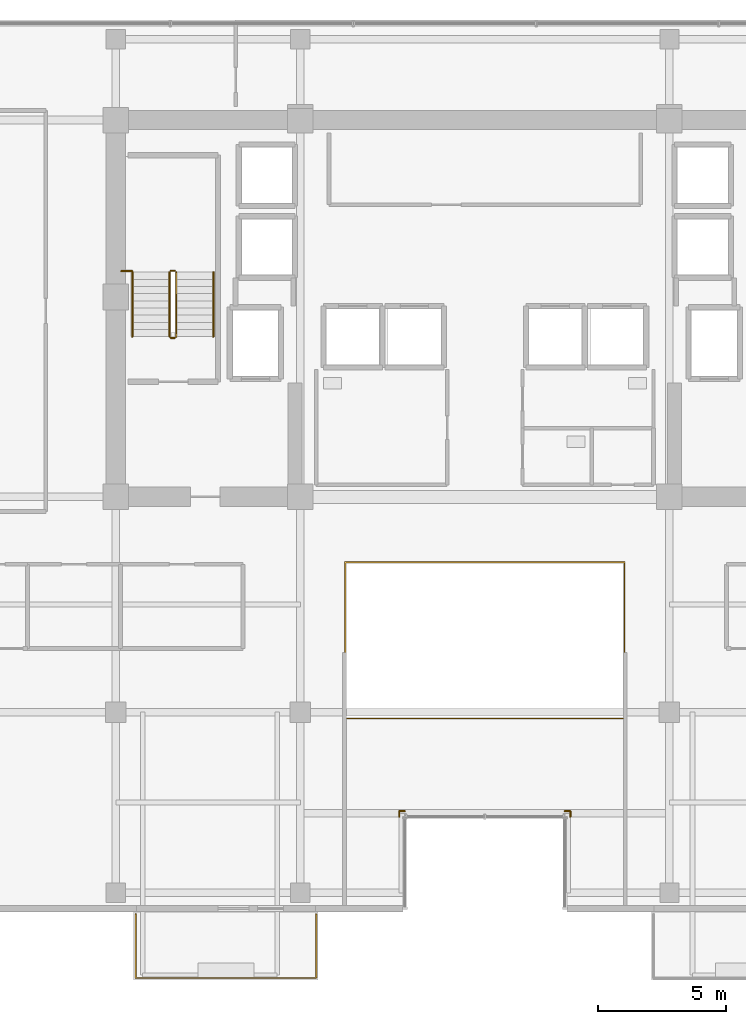
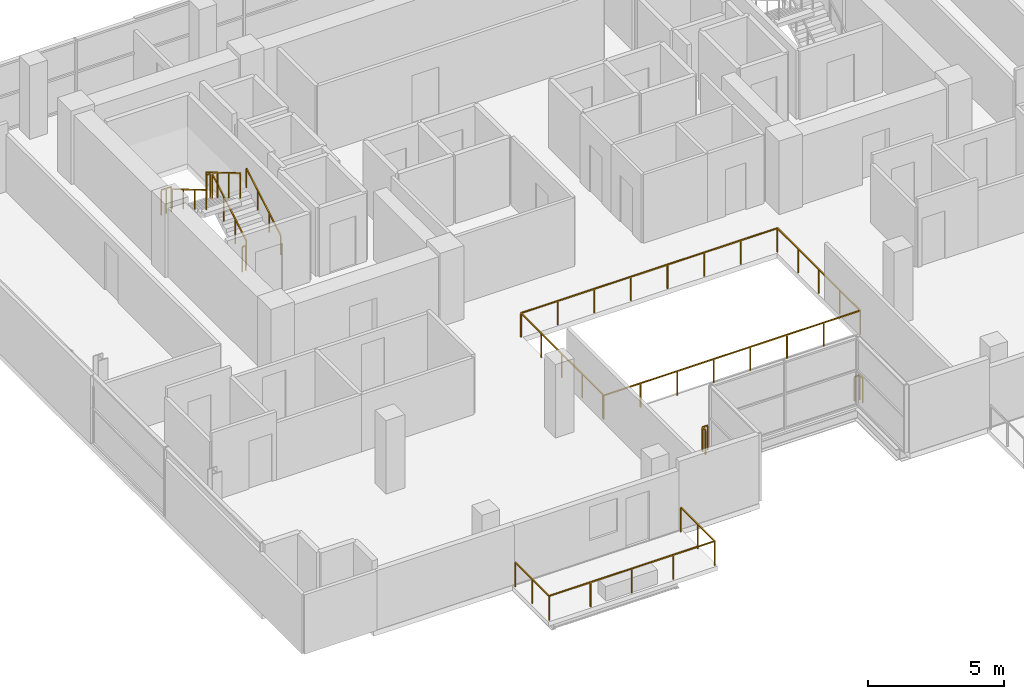
# One storey, part 19 of 21: 13 railings.
"""IFC4 building model written with IfcOpenShell, lengths in metres."""

import ifcopenshell
import ifcopenshell.guid

model = None  # the IFC model being written
_history = None  # IfcOwnerHistory: only IFC2X3 demands one
_inside = {}  # id of a spatial element -> (the spatial element, [elements in it])
_under = {}  # id of a project, library or spatial element -> (it, [spatial elements below it])
_declared = {}  # id of a project -> (the project, [libraries it declares])
_typed = {}  # id of a type object -> (the type object, [elements of that type])
_made_of = {}  # id of a material, layer set ... -> (it, [elements and type objects made of it])


def new_model(schema):
    """Start an empty IFC model of exactly this schema.

    Asked for "IFC4X3", IfcOpenShell would pick the latest addendum, in which some entities
    have other attributes; the version numbers below select the first issue.
    IFC2X3 requires an IfcOwnerHistory on every rooted entity: one is made here for all.
    """
    global model, _history
    if schema == "IFC4X3":
        model = ifcopenshell.file(schema_version=(4, 3, 0, 0))
    else:
        model = ifcopenshell.file(schema=schema)
    _inside.clear()
    _under.clear()
    _declared.clear()
    _typed.clear()
    _made_of.clear()
    _history = None
    if model.schema == "IFC2X3":
        org = make("IfcOrganization", Name="unknown")
        user = make(
            "IfcPersonAndOrganization",
            ThePerson=make("IfcPerson", FamilyName="unknown"),
            TheOrganization=org,
        )
        app = make(
            "IfcApplication",
            ApplicationDeveloper=org,
            Version="unknown",
            ApplicationFullName="unknown",
            ApplicationIdentifier="unknown",
        )
        _history = make(
            "IfcOwnerHistory",
            OwningUser=user,
            OwningApplication=app,
            ChangeAction="ADDED",
            CreationDate=0,
        )
    return model


def make(cls, **values):
    """One entity of the class cls with the attributes given. An attribute that is None is left unset."""
    return model.create_entity(
        cls, **{name: value for name, value in values.items() if value is not None}
    )


def rooted(cls, **values):
    """An entity with a GlobalId (a new one), such as an element, a storey or a relation."""
    return make(cls, GlobalId=ifcopenshell.guid.new(), OwnerHistory=_history, **values)


def si_unit(unit_type, name, prefix=None):
    """IfcSIUnit, for example si_unit("LENGTHUNIT", "METRE", prefix="MILLI")."""
    return make("IfcSIUnit", UnitType=unit_type, Prefix=prefix, Name=name)


def assignment(units):
    """IfcUnitAssignment: the units of a project."""
    return None if units is None else make("IfcUnitAssignment", Units=units)


def point(xyz):
    """IfcCartesianPoint."""
    return None if xyz is None else make("IfcCartesianPoint", Coordinates=xyz)


def direction(xyz):
    """IfcDirection."""
    return None if xyz is None else make("IfcDirection", DirectionRatios=xyz)


def frame(location, z_axis=None, x_axis=None):
    """IfcAxis2Placement3D, a coordinate frame: its origin and axes. An axis left out is left unset."""
    return make(
        "IfcAxis2Placement3D",
        Location=point(location),
        Axis=direction(z_axis),
        RefDirection=direction(x_axis),
    )


def frame_2d(location, x_axis=None):
    """IfcAxis2Placement2D, a coordinate frame in the plane: its origin and x axis."""
    return make(
        "IfcAxis2Placement2D", Location=point(location), RefDirection=direction(x_axis)
    )


def origin():
    """The frame at (0, 0, 0) with its axes left unset."""
    return frame((0.0, 0.0, 0.0))


def origin_2d():
    """The frame at (0, 0) in the plane with its x axis left unset."""
    return frame_2d((0.0, 0.0))


def place(relative_to, where):
    """IfcLocalPlacement: puts the frame where relative to a parent placement (None: the world)."""
    return make(
        "IfcLocalPlacement", PlacementRelTo=relative_to, RelativePlacement=where
    )


def context(
    kind, dimensions, precision=None, world=None, true_north=None, identifier=None
):
    """IfcGeometricRepresentationContext, for example the 3D "Model" context."""
    return make(
        "IfcGeometricRepresentationContext",
        ContextIdentifier=identifier,
        ContextType=kind,
        CoordinateSpaceDimension=dimensions,
        Precision=precision,
        WorldCoordinateSystem=world,
        TrueNorth=true_north,
    )


def subcontext(parent, identifier, kind, view, scale=None):
    """IfcGeometricRepresentationSubContext, for example "Body" below "Model"."""
    return make(
        "IfcGeometricRepresentationSubContext",
        ContextIdentifier=identifier,
        ContextType=kind,
        ParentContext=parent,
        TargetScale=scale,
        TargetView=view,
    )


def project(units=None, contexts=None):
    """IfcProject with its units and contexts."""
    return rooted(
        "IfcProject",
        Name="project",
        RepresentationContexts=contexts,
        UnitsInContext=assignment(units),
    )


def spatial(cls, under=None, at=None, **own):
    """A site, building, storey or space (cls), placed at a placement, below another one or the project."""
    s = rooted(cls, ObjectPlacement=at, **own)
    if under is not None:
        _under.setdefault(under.id(), (under, []))[1].append(s)
    return s


def profile(cls, at=None, kind="AREA", **sizes):
    """A parametric profile (cls). Its sizes go by their IFC names, for example OverallWidth=200.0."""
    return make(cls, ProfileType=kind, Position=at, **sizes)


def rectangle(**sizes):
    """IfcRectangleProfileDef."""
    return profile("IfcRectangleProfileDef", **sizes)


def extrude(swept, where, along, depth):
    """IfcExtrudedAreaSolid: the profile swept, set in the frame where, extruded along a direction by depth."""
    return make(
        "IfcExtrudedAreaSolid",
        SweptArea=swept,
        Position=where,
        ExtrudedDirection=direction(along),
        Depth=depth,
    )


def shape(context_of_items, identifier, shape_type, items):
    """IfcShapeRepresentation: the items that make up one representation, for example the "Body"."""
    return make(
        "IfcShapeRepresentation",
        ContextOfItems=context_of_items,
        RepresentationIdentifier=identifier,
        RepresentationType=shape_type,
        Items=items,
    )


def material(Name=None, Category=None):
    """IfcMaterial."""
    return make("IfcMaterial", Name=Name, Category=Category)


def made_of(thing, what):
    """Note that an element or type object is made of a material, layer set ...; save() writes the relation."""
    if what is not None:
        _made_of.setdefault(what.id(), (what, []))[1].append(thing)
    return thing


def type_object(cls, material=None, **own):
    """A type object (cls), such as IfcWallType, which elements share."""
    return made_of(rooted(cls, **own), material)


def element(
    cls,
    number,
    at=None,
    inside=None,
    cuts=None,
    type_object=None,
    material=None,
    context=None,
    identifier="Body",
    shape_type=None,
    held_by="IfcProductDefinitionShape",
    body=None,
    shapes=None,
    **own,
):
    """One element of the class cls, such as IfcWall. Its Tag is "e" and its number.

    at: its placement. inside: the storey or other place that contains it. cuts: it is an
    opening in that element (IfcRelVoidsElement). A single representation is given by context,
    identifier, shape_type and body (its items); several are given by shapes. held_by: the class
    of the entity that holds the representations. save() writes the other relations.
    """
    e = rooted(cls, Tag="e%d" % number, ObjectPlacement=at, **own)
    if body is not None:
        shapes = [shape(context, identifier, shape_type, body)]
    if shapes is not None:
        e.Representation = make(held_by, Representations=shapes)
    if inside is not None:
        _inside.setdefault(inside.id(), (inside, []))[1].append(e)
    if cuts is not None:
        rooted(
            "IfcRelVoidsElement", RelatingBuildingElement=cuts, RelatedOpeningElement=e
        )
    if type_object is not None:
        _typed.setdefault(type_object.id(), (type_object, []))[1].append(e)
    return made_of(e, material)


def aggregate(whole, parts):
    """IfcRelAggregates: a whole, such as a stair, and the parts it consists of."""
    return rooted("IfcRelAggregates", RelatingObject=whole, RelatedObjects=parts)


def save(model, path):
    """Write the relations noted so far, then the file.

    IfcRelAggregates (storeys below a building ...), IfcRelContainedInSpatialStructure (elements
    in a storey), IfcRelDefinesByType, IfcRelAssociatesMaterial and IfcRelDeclares: one each for
    every whole, place, type object, material and project.
    """
    for whole, parts in _under.values():
        aggregate(whole, parts)
    for where, things in _inside.values():
        rooted(
            "IfcRelContainedInSpatialStructure",
            RelatedElements=things,
            RelatingStructure=where,
        )
    for kind, things in _typed.values():
        rooted("IfcRelDefinesByType", RelatedObjects=things, RelatingType=kind)
    for what, things in _made_of.values():
        rooted("IfcRelAssociatesMaterial", RelatedObjects=things, RelatingMaterial=what)
    for by, libraries in _declared.values():
        rooted("IfcRelDeclares", RelatingContext=by, RelatedDefinitions=libraries)
    model.write(path)


model = new_model("IFC4")

# Units and contexts
model_context = context("Model", 3, precision=1e-05, world=origin(), true_north=direction((0.0, 1.0)))
body_context = subcontext(model_context, "Body", "Model", "MODEL_VIEW")
ifc_project = project(units=[si_unit("LENGTHUNIT", "METRE"), si_unit("AREAUNIT", "SQUARE_METRE"), si_unit("VOLUMEUNIT", "CUBIC_METRE"), si_unit("PLANEANGLEUNIT", "RADIAN"), si_unit("MASSUNIT", "GRAM", prefix="KILO")], contexts=[model_context])

# Site, building, storey
site_placement = place(None, origin())
site = spatial("IfcSite", under=ifc_project, at=site_placement, CompositionType="ELEMENT")
building_placement = place(site_placement, origin())
building = spatial("IfcBuilding", under=site, at=building_placement, Name="Zarnakvel Exchange Tower", CompositionType="ELEMENT")
storey_placement = place(building_placement, frame((0.0, 0.0, 182.5)))
storey = spatial("IfcBuildingStorey", under=building, at=storey_placement, Name="L51", CompositionType="ELEMENT", Elevation=182.5)

# Railings
ifc_material_1 = material(Name="Architectural Bronze Anodised Aluminium", Category="aluminium")
railing_type_1 = type_object("IfcRailingType", Name="GR-02", PredefinedType="GUARDRAIL", material=ifc_material_1)
railing_1_placement = place(storey_placement, frame((-13.6201171875, -17.47998046875, -0.034912109375)))
element("IfcRailing", 1, at=railing_1_placement, inside=storey, type_object=railing_type_1, Name="L51 Balcony Guardrail BAL-L51-SW", PredefinedType="GUARDRAIL", context=body_context, shape_type="SweptSolid", body=[
    extrude(rectangle(XDim=0.048095703125, YDim=0.048095703125, at=origin_2d()), frame((0.0, 0.0, 1.09619140625), z_axis=(0.0, -1.0, 0.0), x_axis=(1.0, 0.0, 0.0)), (0.0, 0.0, 1.0), 2.489990234375),
    extrude(rectangle(XDim=0.048095703125, YDim=0.048095703125, at=origin_2d()), frame((0.0, -2.489990234375, 1.09619140625), z_axis=(1.0, 0.0, 0.0), x_axis=(0.0, 1.0, 0.0)), (0.0, 0.0, 1.0), 7.0400390625),
    extrude(rectangle(XDim=0.048095703125, YDim=0.048095703125, at=origin_2d()), frame((7.0400390625, -2.489990234375, 1.09619140625), z_axis=(0.0, 1.0, 0.0), x_axis=(-1.0, 0.0, 0.0)), (0.0, 0.0, 1.0), 2.489990234375),
    extrude(rectangle(XDim=0.0419921875, YDim=0.0419921875, at=origin_2d()), origin(), (0.0, 0.0, 1.0), 1.072021484375),
    extrude(rectangle(XDim=0.0419921875, YDim=0.0419921875, at=origin_2d()), frame((0.0, -1.2451171875, 0.0)), (0.0, 0.0, 1.0), 1.072021484375),
    extrude(rectangle(XDim=0.0419921875, YDim=0.0419921875, at=origin_2d()), frame((0.0, -2.489990234375, 0.0)), (0.0, 0.0, 1.0), 1.072021484375),
    extrude(rectangle(XDim=0.0419921875, YDim=0.0419921875, at=origin_2d()), frame((1.760009765625, -2.489990234375, 0.0)), (0.0, 0.0, 1.0), 1.072021484375),
    extrude(rectangle(XDim=0.0419921875, YDim=0.0419921875, at=origin_2d()), frame((3.52001953125, -2.489990234375, 0.0)), (0.0, 0.0, 1.0), 1.072021484375),
    extrude(rectangle(XDim=0.0419921875, YDim=0.0419921875, at=origin_2d()), frame((5.280029296875, -2.489990234375, 0.0)), (0.0, 0.0, 1.0), 1.072021484375),
    extrude(rectangle(XDim=0.0419921875, YDim=0.0419921875, at=origin_2d()), frame((7.0400390625, -2.489990234375, 0.0)), (0.0, 0.0, 1.0), 1.072021484375),
    extrude(rectangle(XDim=0.0419921875, YDim=0.0419921875, at=origin_2d()), frame((7.0400390625, -1.2451171875, 0.0)), (0.0, 0.0, 1.0), 1.072021484375),
    extrude(rectangle(XDim=0.0419921875, YDim=0.0419921875, at=origin_2d()), frame((7.0400390625, 0.0, 0.0)), (0.0, 0.0, 1.0), 1.072021484375),
])
railing_2_placement = place(storey_placement, frame((3.340087890625, -13.679931640625, 0.0)))
element("IfcRailing", 2, at=railing_2_placement, inside=storey, type_object=railing_type_1, Name="L51 Corner Spandrel Balustrade #17", PredefinedType="GUARDRAIL", context=body_context, shape_type="SweptSolid", body=[
    extrude(rectangle(XDim=0.048095703125, YDim=0.048095703125, at=origin_2d()), frame((0.0, 0.0, 1.09619140625), z_axis=(0.0, 1.0, 0.0), x_axis=(-1.0, 0.0, 0.0)), (0.0, 0.0, 1.0), 0.219970703125),
    extrude(rectangle(XDim=0.0419921875, YDim=0.0419921875, at=origin_2d()), origin(), (0.0, 0.0, 1.0), 1.072021484375),
    extrude(rectangle(XDim=0.0419921875, YDim=0.0419921875, at=origin_2d()), frame((0.0, 0.219970703125, 0.0)), (0.0, 0.0, 1.0), 1.072021484375),
])
for number, where, name in (
    (3, (3.340087890625, -13.4599609375, 0.0), "L51 Corner Spandrel Balustrade #18"),
    (4, (-3.1201171875, -13.4599609375, 0.0), "L51 Corner Spandrel Balustrade #19"),
):
    element("IfcRailing", number, at=place(storey_placement, frame(where)), inside=storey, type_object=railing_type_1, Name=name, PredefinedType="GUARDRAIL", context=body_context, shape_type="SweptSolid", body=[
        extrude(rectangle(XDim=0.048095703125, YDim=0.048095703125, at=origin_2d()), frame((0.0, 0.0, 1.09619140625), z_axis=(-1.0, 0.0, 0.0), x_axis=(0.0, -1.0, 0.0)), (0.0, 0.0, 1.0), 0.219970703125),
        extrude(rectangle(XDim=0.0419921875, YDim=0.0419921875, at=origin_2d()), origin(), (0.0, 0.0, 1.0), 1.072021484375),
        extrude(rectangle(XDim=0.0419921875, YDim=0.0419921875, at=origin_2d()), frame((-0.219970703125, 0.0, 0.0)), (0.0, 0.0, 1.0), 1.072021484375),
    ])
railing_3_placement = place(storey_placement, frame((-3.340087890625, -13.4599609375, 0.0)))
element("IfcRailing", 5, at=railing_3_placement, inside=storey, type_object=railing_type_1, Name="L51 Corner Spandrel Balustrade #20", PredefinedType="GUARDRAIL", context=body_context, shape_type="SweptSolid", body=[
    extrude(rectangle(XDim=0.048095703125, YDim=0.048095703125, at=origin_2d()), frame((0.0, 0.0, 1.09619140625), z_axis=(0.0, -1.0, 0.0), x_axis=(1.0, 0.0, 0.0)), (0.0, 0.0, 1.0), 0.219970703125),
    extrude(rectangle(XDim=0.0419921875, YDim=0.0419921875, at=origin_2d()), origin(), (0.0, 0.0, 1.0), 1.072021484375),
    extrude(rectangle(XDim=0.0419921875, YDim=0.0419921875, at=origin_2d()), frame((0.0, -0.219970703125, 0.0)), (0.0, 0.0, 1.0), 1.072021484375),
])
railing_type_2 = type_object("IfcRailingType", Name="GR-03", PredefinedType="GUARDRAIL", material=ifc_material_1)
railing_4_placement = place(storey_placement, frame((-5.449951171875, -9.85009765625, 0.0)))
element("IfcRailing", 6, at=railing_4_placement, inside=storey, type_object=railing_type_2, Name="L51 Atrium Void Perimeter Balustrade", PredefinedType="GUARDRAIL", context=body_context, shape_type="SweptSolid", body=[
    extrude(rectangle(XDim=0.048095703125, YDim=0.048095703125, at=origin_2d()), frame((0.0, 0.0, 1.076171875), z_axis=(1.0, 0.0, 0.0), x_axis=(0.0, 1.0, 0.0)), (0.0, 0.0, 1.0), 10.89990234375),
    extrude(rectangle(XDim=0.048095703125, YDim=0.048095703125, at=origin_2d()), frame((10.89990234375, 0.0, 1.076171875), z_axis=(0.0, 1.0, 0.0), x_axis=(-1.0, 0.0, 0.0)), (0.0, 0.0, 1.0), 6.10009765625),
    extrude(rectangle(XDim=0.048095703125, YDim=0.048095703125, at=origin_2d()), frame((10.89990234375, 6.10009765625, 1.076171875), z_axis=(-1.0, 0.0, 0.0), x_axis=(0.0, -1.0, 0.0)), (0.0, 0.0, 1.0), 10.89990234375),
    extrude(rectangle(XDim=0.048095703125, YDim=0.048095703125, at=origin_2d()), frame((0.0, 6.10009765625, 1.076171875), z_axis=(0.0, -1.0, 0.0), x_axis=(1.0, 0.0, 0.0)), (0.0, 0.0, 1.0), 6.02001953125),
    extrude(rectangle(XDim=0.0419921875, YDim=0.0419921875, at=origin_2d()), origin(), (0.0, 0.0, 1.0), 1.052001953125),
    extrude(rectangle(XDim=0.0419921875, YDim=0.0419921875, at=origin_2d()), frame((1.55712890625, 0.0, 0.0)), (0.0, 0.0, 1.0), 1.052001953125),
    extrude(rectangle(XDim=0.0419921875, YDim=0.0419921875, at=origin_2d()), frame((3.1142578125, 0.0, 0.0)), (0.0, 0.0, 1.0), 1.052001953125),
    extrude(rectangle(XDim=0.0419921875, YDim=0.0419921875, at=origin_2d()), frame((4.67138671875, 0.0, 0.0)), (0.0, 0.0, 1.0), 1.052001953125),
    extrude(rectangle(XDim=0.0419921875, YDim=0.0419921875, at=origin_2d()), frame((6.228515625, 0.0, 0.0)), (0.0, 0.0, 1.0), 1.052001953125),
    extrude(rectangle(XDim=0.0419921875, YDim=0.0419921875, at=origin_2d()), frame((7.78564453125, 0.0, 0.0)), (0.0, 0.0, 1.0), 1.052001953125),
    extrude(rectangle(XDim=0.0419921875, YDim=0.0419921875, at=origin_2d()), frame((9.3427734375, 0.0, 0.0)), (0.0, 0.0, 1.0), 1.052001953125),
    extrude(rectangle(XDim=0.0419921875, YDim=0.0419921875, at=origin_2d()), frame((10.89990234375, 0.0, 0.0)), (0.0, 0.0, 1.0), 1.052001953125),
    extrude(rectangle(XDim=0.0419921875, YDim=0.0419921875, at=origin_2d()), frame((10.89990234375, 1.52490234375, 0.0)), (0.0, 0.0, 1.0), 1.052001953125),
    extrude(rectangle(XDim=0.0419921875, YDim=0.0419921875, at=origin_2d()), frame((10.89990234375, 3.050048828125, 0.0)), (0.0, 0.0, 1.0), 1.052001953125),
    extrude(rectangle(XDim=0.0419921875, YDim=0.0419921875, at=origin_2d()), frame((10.89990234375, 4.5751953125, 0.0)), (0.0, 0.0, 1.0), 1.052001953125),
    extrude(rectangle(XDim=0.0419921875, YDim=0.0419921875, at=origin_2d()), frame((10.89990234375, 6.10009765625, 0.0)), (0.0, 0.0, 1.0), 1.052001953125),
    extrude(rectangle(XDim=0.0419921875, YDim=0.0419921875, at=origin_2d()), frame((9.3427734375, 6.10009765625, 0.0)), (0.0, 0.0, 1.0), 1.052001953125),
    extrude(rectangle(XDim=0.0419921875, YDim=0.0419921875, at=origin_2d()), frame((7.78564453125, 6.10009765625, 0.0)), (0.0, 0.0, 1.0), 1.052001953125),
    extrude(rectangle(XDim=0.0419921875, YDim=0.0419921875, at=origin_2d()), frame((6.228515625, 6.10009765625, 0.0)), (0.0, 0.0, 1.0), 1.052001953125),
    extrude(rectangle(XDim=0.0419921875, YDim=0.0419921875, at=origin_2d()), frame((4.67138671875, 6.10009765625, 0.0)), (0.0, 0.0, 1.0), 1.052001953125),
    extrude(rectangle(XDim=0.0419921875, YDim=0.0419921875, at=origin_2d()), frame((3.1142578125, 6.10009765625, 0.0)), (0.0, 0.0, 1.0), 1.052001953125),
    extrude(rectangle(XDim=0.0419921875, YDim=0.0419921875, at=origin_2d()), frame((1.55712890625, 6.10009765625, 0.0)), (0.0, 0.0, 1.0), 1.052001953125),
    extrude(rectangle(XDim=0.0419921875, YDim=0.0419921875, at=origin_2d()), frame((0.0, 6.10009765625, 0.0)), (0.0, 0.0, 1.0), 1.052001953125),
    extrude(rectangle(XDim=0.0419921875, YDim=0.0419921875, at=origin_2d()), frame((0.0, 4.59521484375, 0.0)), (0.0, 0.0, 1.0), 1.052001953125),
    extrude(rectangle(XDim=0.0419921875, YDim=0.0419921875, at=origin_2d()), frame((0.0, 3.090087890625, 0.0)), (0.0, 0.0, 1.0), 1.052001953125),
    extrude(rectangle(XDim=0.0419921875, YDim=0.0419921875, at=origin_2d()), frame((0.0, 1.5849609375, 0.0)), (0.0, 0.0, 1.0), 1.052001953125),
    extrude(rectangle(XDim=0.0419921875, YDim=0.0419921875, at=origin_2d()), frame((0.0, 0.080078125, 0.0)), (0.0, 0.0, 1.0), 1.052001953125),
])
ifc_material_2 = material(Name="Brushed Stainless Steel", Category="steel")
railing_type_3 = type_object("IfcRailingType", Name="HR-01", PredefinedType="HANDRAIL", material=ifc_material_2)
railing_5_placement = place(storey_placement, frame((-10.590087890625, 5.050048828125, 0.1650390625)))
element("IfcRailing", 7, at=railing_5_placement, inside=storey, type_object=railing_type_3, Name="L51 ST-01 stair handrail 1", PredefinedType="HANDRAIL", context=body_context, shape_type="SweptSolid", body=[
    extrude(rectangle(XDim=0.048095703125, YDim=0.048095703125, at=origin_2d()), frame((0.0, 0.0, 0.8759765625), z_axis=(0.0, 0.861560626758, 0.507654692109), x_axis=(-1.0, 0.0, 0.0)), (0.0, 0.0, 1.0), 2.925048828125),
    extrude(rectangle(XDim=0.0419921875, YDim=0.0419921875, at=origin_2d()), origin(), (0.0, 0.0, 1.0), 0.851806640625),
    extrude(rectangle(XDim=0.0419921875, YDim=0.0419921875, at=origin_2d()), frame((0.0, 0.840087890625, 0.494873046875)), (0.0, 0.0, 1.0), 0.851806640625),
    extrude(rectangle(XDim=0.0419921875, YDim=0.0419921875, at=origin_2d()), frame((0.0, 1.679931640625, 0.989990234375)), (0.0, 0.0, 1.0), 0.851806640625),
    extrude(rectangle(XDim=0.0419921875, YDim=0.0419921875, at=origin_2d()), frame((0.0, 2.52001953125, 1.48486328125)), (0.0, 0.0, 1.0), 0.851806640625),
])
railing_6_placement = place(storey_placement, frame((-13.75, 7.570068359375, 1.81494140625)))
element("IfcRailing", 8, at=railing_6_placement, inside=storey, type_object=railing_type_3, Name="L51 ST-01 stair handrail 2", PredefinedType="HANDRAIL", context=body_context, shape_type="SweptSolid", body=[
    extrude(rectangle(XDim=0.048095703125, YDim=0.048095703125, at=origin_2d()), frame((0.0, 0.0, 0.8759765625), z_axis=(0.0, -0.86152411907, 0.507716645641), x_axis=(1.0, 0.0, 0.0)), (0.0, 0.0, 1.0), 2.925048828125),
    extrude(rectangle(XDim=0.0419921875, YDim=0.0419921875, at=origin_2d()), origin(), (0.0, 0.0, 1.0), 0.851806640625),
    extrude(rectangle(XDim=0.0419921875, YDim=0.0419921875, at=origin_2d()), frame((0.0, -0.840087890625, 0.4951171875)), (0.0, 0.0, 1.0), 0.851806640625),
    extrude(rectangle(XDim=0.0419921875, YDim=0.0419921875, at=origin_2d()), frame((0.0, -1.679931640625, 0.989990234375)), (0.0, 0.0, 1.0), 0.851806640625),
    extrude(rectangle(XDim=0.0419921875, YDim=0.0419921875, at=origin_2d()), frame((0.0, -2.52001953125, 1.485107421875)), (0.0, 0.0, 1.0), 0.851806640625),
])
railing_type_4 = type_object("IfcRailingType", Name="SG-01", PredefinedType="GUARDRAIL", material=ifc_material_1)
railing_7_placement = place(storey_placement, frame((-12.0400390625, 5.050048828125, 0.1650390625)))
element("IfcRailing", 9, at=railing_7_placement, inside=storey, type_object=railing_type_4, Name="L51 ST-01 stair guard 1", PredefinedType="GUARDRAIL", context=body_context, shape_type="SweptSolid", body=[
    extrude(rectangle(XDim=0.048095703125, YDim=0.048095703125, at=origin_2d()), frame((0.0, 0.0, 1.1259765625), z_axis=(0.0, 0.861560626758, 0.507654692109), x_axis=(-1.0, 0.0, 0.0)), (0.0, 0.0, 1.0), 2.925048828125),
    extrude(rectangle(XDim=0.0419921875, YDim=0.0419921875, at=origin_2d()), origin(), (0.0, 0.0, 1.0), 1.101806640625),
    extrude(rectangle(XDim=0.0419921875, YDim=0.0419921875, at=origin_2d()), frame((0.0, 0.840087890625, 0.494873046875)), (0.0, 0.0, 1.0), 1.101806640625),
    extrude(rectangle(XDim=0.0419921875, YDim=0.0419921875, at=origin_2d()), frame((0.0, 1.679931640625, 0.989990234375)), (0.0, 0.0, 1.0), 1.101806640625),
    extrude(rectangle(XDim=0.0419921875, YDim=0.0419921875, at=origin_2d()), frame((0.0, 2.52001953125, 1.48486328125)), (0.0, 0.0, 1.0), 1.101806640625),
])
railing_8_placement = place(storey_placement, frame((-12.090087890625, 7.6201171875, 1.64990234375)))
element("IfcRailing", 10, at=railing_8_placement, inside=storey, type_object=railing_type_4, Name="L51 ST-01 stair guard 2", PredefinedType="GUARDRAIL", context=body_context, shape_type="SweptSolid", body=[
    extrude(rectangle(XDim=0.048095703125, YDim=0.048095703125, at=origin_2d()), frame((0.0, 0.0, 1.1259765625), z_axis=(-1.0, 0.0, 0.0), x_axis=(0.0, -1.0, 0.0)), (0.0, 0.0, 1.0), 0.159912109375),
    extrude(rectangle(XDim=0.0419921875, YDim=0.0419921875, at=origin_2d()), origin(), (0.0, 0.0, 1.0), 1.101806640625),
    extrude(rectangle(XDim=0.0419921875, YDim=0.0419921875, at=origin_2d()), frame((-0.159912109375, 0.0, 0.0)), (0.0, 0.0, 1.0), 1.101806640625),
])
railing_9_placement = place(storey_placement, frame((-12.300048828125, 7.570068359375, 1.81494140625)))
element("IfcRailing", 11, at=railing_9_placement, inside=storey, type_object=railing_type_4, Name="L51 ST-01 stair guard 3", PredefinedType="GUARDRAIL", context=body_context, shape_type="SweptSolid", body=[
    extrude(rectangle(XDim=0.048095703125, YDim=0.048095703125, at=origin_2d()), frame((0.0, 0.0, 1.1259765625), z_axis=(0.0, -0.86152411907, 0.507716645641), x_axis=(1.0, 0.0, 0.0)), (0.0, 0.0, 1.0), 2.925048828125),
    extrude(rectangle(XDim=0.0419921875, YDim=0.0419921875, at=origin_2d()), origin(), (0.0, 0.0, 1.0), 1.101806640625),
    extrude(rectangle(XDim=0.0419921875, YDim=0.0419921875, at=origin_2d()), frame((0.0, -0.840087890625, 0.4951171875)), (0.0, 0.0, 1.0), 1.101806640625),
    extrude(rectangle(XDim=0.0419921875, YDim=0.0419921875, at=origin_2d()), frame((0.0, -1.679931640625, 0.989990234375)), (0.0, 0.0, 1.0), 1.101806640625),
    extrude(rectangle(XDim=0.0419921875, YDim=0.0419921875, at=origin_2d()), frame((0.0, -2.52001953125, 1.485107421875)), (0.0, 0.0, 1.0), 1.101806640625),
])
railing_10_placement = place(storey_placement, frame((-12.090087890625, 5.0, 0.0)))
element("IfcRailing", 12, at=railing_10_placement, inside=storey, type_object=railing_type_4, Name="L51 ST-01 stair guard 4", PredefinedType="GUARDRAIL", context=body_context, shape_type="SweptSolid", body=[
    extrude(rectangle(XDim=0.048095703125, YDim=0.048095703125, at=origin_2d()), frame((0.0, 0.0, 1.1259765625), z_axis=(-1.0, 0.0, 0.0), x_axis=(0.0, -1.0, 0.0)), (0.0, 0.0, 1.0), 0.159912109375),
    extrude(rectangle(XDim=0.0419921875, YDim=0.0419921875, at=origin_2d()), origin(), (0.0, 0.0, 1.0), 1.101806640625),
    extrude(rectangle(XDim=0.0419921875, YDim=0.0419921875, at=origin_2d()), frame((-0.159912109375, 0.0, 0.0)), (0.0, 0.0, 1.0), 1.101806640625),
])
railing_11_placement = place(storey_placement, frame((-14.179931640625, 7.610107421875, 1.64990234375)))
element("IfcRailing", 13, at=railing_11_placement, inside=storey, type_object=railing_type_4, Name="L51 ST-01 Landing Slot Guardrail", PredefinedType="GUARDRAIL", context=body_context, shape_type="SweptSolid", body=[
    extrude(rectangle(XDim=0.048095703125, YDim=0.048095703125, at=origin_2d()), frame((0.0, 0.0, 1.1259765625), z_axis=(1.0, 0.0, 0.0), x_axis=(0.0, 1.0, 0.0)), (0.0, 0.0, 1.0), 0.429931640625),
    extrude(rectangle(XDim=0.0419921875, YDim=0.0419921875, at=origin_2d()), origin(), (0.0, 0.0, 1.0), 1.101806640625),
    extrude(rectangle(XDim=0.0419921875, YDim=0.0419921875, at=origin_2d()), frame((0.21484375, 0.0, 0.0)), (0.0, 0.0, 1.0), 1.101806640625),
    extrude(rectangle(XDim=0.0419921875, YDim=0.0419921875, at=origin_2d()), frame((0.429931640625, 0.0, 0.0)), (0.0, 0.0, 1.0), 1.101806640625),
])

save(model, "model.ifc")
